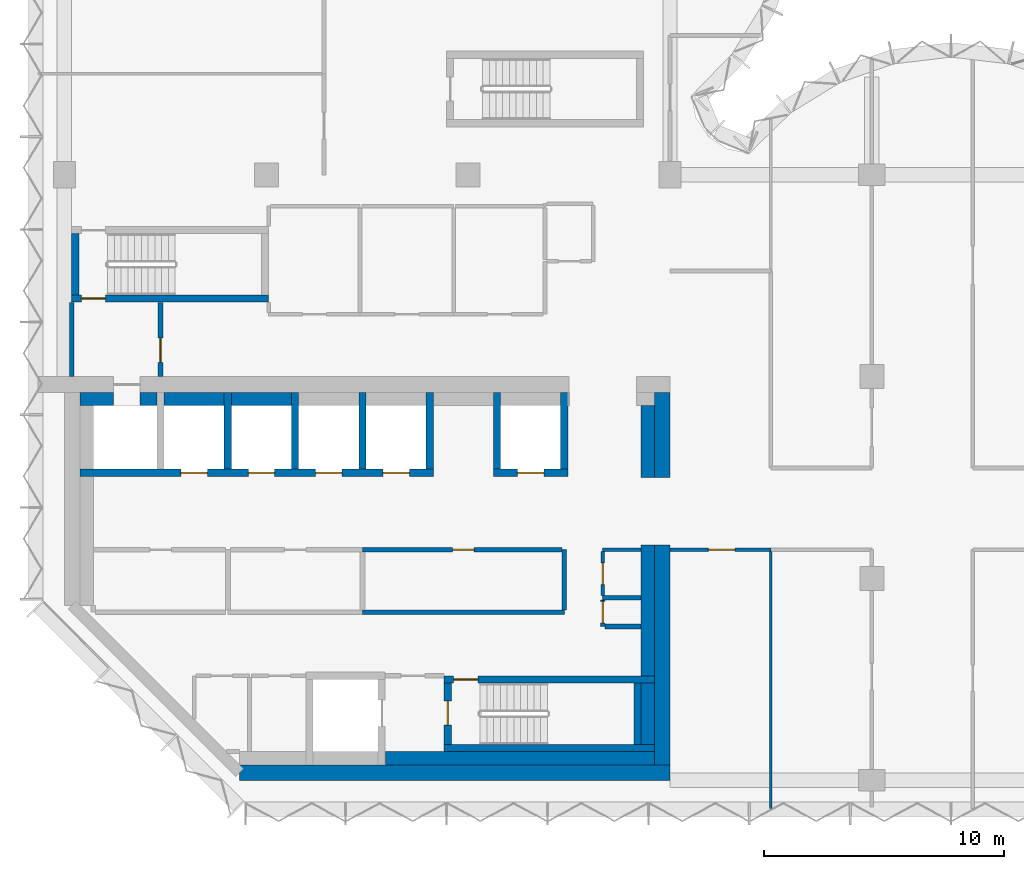
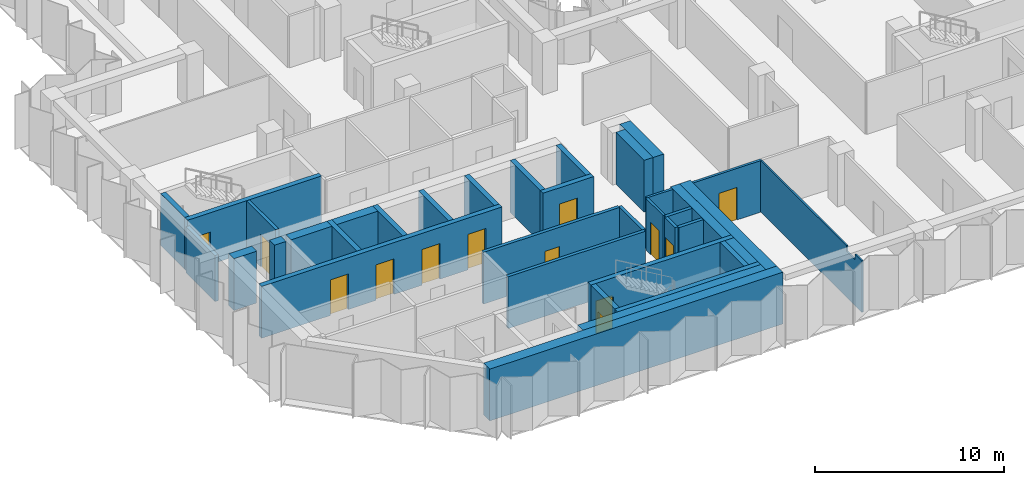
# One storey, part 5 of 10: 37 walls, 13 doors, 13 openings.
"""IFC4 building model written with IfcOpenShell, lengths in metres."""

from ifc_helpers import new_model, si_unit, direction, frame, frame_2d, origin, place, context, subcontext, project, spatial, polyline, rectangle, outline, extrude, material, layer, layer_set, type_object, element, fill, save


model = new_model("IFC4")

# Units and contexts
model_context = context("Model", 3, precision=1e-05, world=origin(), true_north=direction((0.0, 1.0)))
body_context = subcontext(model_context, "Body", "Model", "MODEL_VIEW")
ifc_project = project(units=[si_unit("LENGTHUNIT", "METRE"), si_unit("AREAUNIT", "SQUARE_METRE"), si_unit("VOLUMEUNIT", "CUBIC_METRE"), si_unit("PLANEANGLEUNIT", "RADIAN"), si_unit("MASSUNIT", "GRAM", prefix="KILO")], contexts=[model_context])

# Site, building, storey
site_placement = place(None, origin())
site = spatial("IfcSite", under=ifc_project, at=site_placement, CompositionType="ELEMENT")
building_placement = place(site_placement, origin())
building = spatial("IfcBuilding", under=site, at=building_placement, Name="Brevane Broadcast Tower", CompositionType="ELEMENT")
storey_placement = place(building_placement, frame((0.0, 0.0, 195.60009765625)))
storey = spatial("IfcBuildingStorey", under=building, at=storey_placement, Name="L49", CompositionType="ELEMENT", Elevation=195.60009765625)

# Walls
ifc_material_1 = material(Name="Concrete C32/40", Category="concrete")
ifc_layer_1 = layer(ifc_material_1, 0.550048828125)
ifc_layer_set_1 = layer_set([ifc_layer_1], Name="Core chase wall 550 mm")
wall_type_1 = type_object("IfcWallType", Name="Core chase wall 550 mm", PredefinedType="PARTITIONING", material=ifc_layer_set_1)
wall_1_placement = place(storey_placement, frame((24.27490234375, 12.60009765625, 0.0), z_axis=(0.0, 0.0, 1.0), x_axis=(0.0, 1.0, 0.0)))
element("IfcWall", 1, at=wall_1_placement, inside=storey, type_object=wall_type_1, Name="L49 chase wall LE2", PredefinedType="PARTITIONING", context=body_context, shape_type="SweptSolid", body=[
    extrude(rectangle(XDim=3.0, YDim=0.550048828125, at=frame_2d((1.5, 0.0))), origin(), (0.0, 0.0, 1.0), 3.349853515625),
])
wall_2_placement = place(storey_placement, frame((0.64990234375, 15.875, 0.0), z_axis=(0.0, 0.0, 1.0), x_axis=(1.0, 0.0, 0.0)))
element("IfcWall", 2, at=wall_2_placement, inside=storey, type_object=wall_type_1, Name="L49 chase wall LN0", PredefinedType="PARTITIONING", context=body_context, shape_type="SweptSolid", body=[
    extrude(rectangle(XDim=1.400146484375, YDim=0.550048828125, at=frame_2d((0.7001953125, 0.0))), origin(), (0.0, 0.0, 1.0), 3.349853515625),
])
wall_3_placement = place(storey_placement, frame((3.14990234375, 15.875, 0.0), z_axis=(0.0, 0.0, 1.0), x_axis=(1.0, 0.0, 0.0)))
element("IfcWall", 3, at=wall_3_placement, inside=storey, type_object=wall_type_1, Name="L49 chase wall LN1-1", PredefinedType="PARTITIONING", context=body_context, shape_type="SweptSolid", body=[
    extrude(rectangle(XDim=0.7001953125, YDim=0.550048828125, at=frame_2d((0.35009765625, 0.0))), origin(), (0.0, 0.0, 1.0), 3.349853515625),
])
for number, where, z_axis, x_axis, name in (
    (4, (4.14990234375, 15.875, 0.0), (0.0, 0.0, 1.0), (1.0, 0.0, 0.0), "L49 chase wall LN1-2-1"),
    (5, (6.949951171875, 15.875, 0.0), (0.0, 0.0, 1.0), (1.0, 0.0, 0.0), "L49 chase wall LN1-2-2-1"),
):
    element("IfcWall", number, at=place(storey_placement, frame(where, z_axis=z_axis, x_axis=x_axis)), inside=storey, type_object=wall_type_1, Name=name, PredefinedType="PARTITIONING", context=body_context, shape_type="SweptSolid", body=[
        extrude(rectangle(XDim=2.5, YDim=0.550048828125, at=frame_2d((1.25, 0.0))), origin(), (0.0, 0.0, 1.0), 3.349853515625),
    ])
wall_4_placement = place(storey_placement, frame((13.35009765625, 0.925048828125, 0.0), z_axis=(0.0, 0.0, 1.0), x_axis=(1.0, 0.0, 0.0)))
element("IfcWall", 6, at=wall_4_placement, inside=storey, type_object=wall_type_1, Name="L49 chase wall LS-2-2", PredefinedType="PARTITIONING", context=body_context, shape_type="SweptSolid", body=[
    extrude(rectangle(XDim=11.199951171875, YDim=0.550048828125, at=frame_2d((5.60009765625, 0.0))), origin(), (0.0, 0.0, 1.0), 3.349853515625),
])
wall_5_placement = place(storey_placement, frame((24.27490234375, 1.5, 0.0), z_axis=(0.0, 0.0, 1.0), x_axis=(0.0, 1.0, 0.0)))
element("IfcWall", 7, at=wall_5_placement, inside=storey, type_object=wall_type_1, Name="L49 chase wall LE1-2-1", PredefinedType="PARTITIONING", context=body_context, shape_type="SweptSolid", body=[
    extrude(rectangle(XDim=2.550048828125, YDim=0.550048828125, at=frame_2d((1.27490234375, 0.0))), origin(), (0.0, 0.0, 1.0), 3.349853515625),
])
wall_6_placement = place(storey_placement, frame((24.27490234375, 4.35009765625, 0.0), z_axis=(0.0, 0.0, 1.0), x_axis=(0.0, 1.0, 0.0)))
element("IfcWall", 8, at=wall_6_placement, inside=storey, type_object=wall_type_1, Name="L49 chase wall LE1-2-2", PredefinedType="PARTITIONING", context=body_context, shape_type="SweptSolid", body=[
    extrude(rectangle(XDim=5.449951171875, YDim=0.550048828125, at=frame_2d((2.72509765625, 0.0))), origin(), (0.0, 0.0, 1.0), 3.349853515625),
])
ifc_material_2 = material(Name="Gypsum board on steel studs", Category="steel")
ifc_layer_2 = layer(ifc_material_2, 0.14990234375)
ifc_layer_set_2 = layer_set([ifc_layer_2], Name="Core fire partition 150 mm")
wall_type_2 = type_object("IfcWallType", Name="Core fire partition 150 mm", PredefinedType="PARTITIONING", material=ifc_layer_set_2)
wall_7_placement = place(storey_placement, frame((23.988037109375, 9.60009765625, 0.0), z_axis=(0.0, 0.0, 1.0), x_axis=(-1.0, 0.0, 0.0)))
element("IfcWall", 9, at=wall_7_placement, inside=storey, type_object=wall_type_2, Name="L49 partition wall P38", PredefinedType="PARTITIONING", context=body_context, shape_type="SweptSolid", body=[
    extrude(rectangle(XDim=1.588134765625, YDim=0.14990234375, at=frame_2d((0.7939453125, 0.0))), origin(), (0.0, 0.0, 1.0), 3.349853515625),
])

# Wall, opening, door
wall_8_placement = place(storey_placement, frame((22.39990234375, 9.52490234375, 0.0), z_axis=(0.0, 0.0, 1.0), x_axis=(0.0, -1.0, 0.0)))
wall_8 = element("IfcWall", 10, at=wall_8_placement, inside=storey, type_object=wall_type_2, Name="L49 partition wall P39", PredefinedType="PARTITIONING", context=body_context, shape_type="SweptSolid", body=[
    extrude(rectangle(XDim=1.824951171875, YDim=0.14990234375, at=frame_2d((0.91259765625, 0.0))), origin(), (0.0, 0.0, 1.0), 3.349853515625),
])
opening_1_placement = place(wall_8_placement, frame((0.47509765625, 0.0, 0.0)))
opening_1 = element("IfcOpeningElement", 11, at=opening_1_placement, cuts=wall_8, Name="Opening L49-K18", PredefinedType="OPENING", context=body_context, shape_type="SweptSolid", body=[
    extrude(rectangle(XDim=0.89990234375, YDim=2.10009765625, at=frame_2d((0.449951171875, 1.050048828125))), frame((0.0, 0.0849609375, 0.0), z_axis=(0.0, -1.0, 0.0), x_axis=(1.0, 0.0, 0.0)), (0.0, 0.0, 1.0), 0.169921875),
])
ifc_material_3 = material(Name="Steel", Category="steel")
door_type_1 = type_object("IfcDoorType", Name="Service room door 900 x 2100", OperationType="SINGLE_SWING_LEFT", PredefinedType="DOOR", material=ifc_material_3)
door_1_placement = place(opening_1_placement, origin())
door_1 = element("IfcDoor", 12, at=door_1_placement, inside=storey, type_object=door_type_1, Name="Door L49-K18", OperationType="SINGLE_SWING_RIGHT", OverallHeight=2.10009765625, OverallWidth=0.89990234375, PredefinedType="DOOR", context=body_context, shape_type="SweptSolid", body=[
    extrude(rectangle(XDim=0.89990234375, YDim=2.10009765625, at=frame_2d((0.449951171875, 1.050048828125))), frame((0.0, 0.02490234375, 0.0), z_axis=(0.0, -1.0, 0.0), x_axis=(1.0, 0.0, 0.0)), (0.0, 0.0, 1.0), 0.050048828125),
])
fill(opening_1, door_1)

# Wall
ifc_layer_3 = layer(ifc_material_2, 0.199951171875)
ifc_layer_set_3 = layer_set([ifc_layer_3], Name="Core fire partition 200 mm")
wall_type_3 = type_object("IfcWallType", Name="Core fire partition 200 mm", PredefinedType="PARTITIONING", material=ifc_layer_set_3)
wall_9_placement = place(storey_placement, frame((0.300048828125, 16.81201171875, 0.0), z_axis=(0.0, 0.0, 1.0), x_axis=(0.0, 1.0, 0.0)))
element("IfcWall", 13, at=wall_9_placement, inside=storey, type_object=wall_type_3, Name="L49 partition wall P01", PredefinedType="PARTITIONING", context=body_context, shape_type="SweptSolid", body=[
    extrude(rectangle(XDim=3.075927734375, YDim=0.199951171875, at=frame_2d((1.5380859375, 0.0))), origin(), (0.0, 0.0, 1.0), 2.97998046875),
])

# Wall, opening, door
wall_10_placement = place(storey_placement, frame((4.0, 19.887939453125, 0.0), z_axis=(0.0, 0.0, 1.0), x_axis=(0.0, -1.0, 0.0)))
wall_10 = element("IfcWall", 14, at=wall_10_placement, inside=storey, type_object=wall_type_3, Name="L49 partition wall P02", PredefinedType="PARTITIONING", context=body_context, shape_type="SweptSolid", body=[
    extrude(rectangle(XDim=3.075927734375, YDim=0.199951171875, at=frame_2d((1.5380859375, 0.0))), origin(), (0.0, 0.0, 1.0), 3.349853515625),
])
opening_2_placement = place(wall_10_placement, frame((1.488037109375, 0.0, 0.0)))
opening_2 = element("IfcOpeningElement", 15, at=opening_2_placement, cuts=wall_10, Name="Opening L49-K22", PredefinedType="OPENING", context=body_context, shape_type="SweptSolid", body=[
    extrude(rectangle(XDim=1.0, YDim=2.10009765625, at=frame_2d((0.5, 1.050048828125))), frame((0.0, 0.10986328125, 0.0), z_axis=(0.0, -1.0, 0.0), x_axis=(1.0, 0.0, 0.0)), (0.0, 0.0, 1.0), 0.219970703125),
])
door_type_2 = type_object("IfcDoorType", Name="Stair door 1000 x 2100", OperationType="SINGLE_SWING_LEFT", PredefinedType="DOOR", material=ifc_material_3)
door_2_placement = place(opening_2_placement, origin())
door_2 = element("IfcDoor", 16, at=door_2_placement, inside=storey, type_object=door_type_2, Name="Door L49-K22", OperationType="SINGLE_SWING_RIGHT", OverallHeight=2.10009765625, OverallWidth=1.0, PredefinedType="DOOR", context=body_context, shape_type="SweptSolid", body=[
    extrude(rectangle(XDim=1.0, YDim=2.10009765625, at=frame_2d((0.5, 1.050048828125))), frame((0.0, 0.02490234375, 0.0), z_axis=(0.0, -1.0, 0.0), x_axis=(1.0, 0.0, 0.0)), (0.0, 0.0, 1.0), 0.050048828125),
])
fill(opening_2, door_2)

# Walls
wall_11_placement = place(storey_placement, frame((12.39990234375, 7.0, 0.0), z_axis=(0.0, 0.0, 1.0), x_axis=(1.0, 0.0, 0.0)))
element("IfcWall", 17, at=wall_11_placement, inside=storey, type_object=wall_type_3, Name="L49 partition wall P10", PredefinedType="PARTITIONING", context=body_context, shape_type="SweptSolid", body=[
    extrude(rectangle(XDim=8.400146484375, YDim=0.199951171875, at=frame_2d((4.2001953125, 0.0))), origin(), (0.0, 0.0, 1.0), 3.349853515625),
])
wall_12_placement = place(storey_placement, frame((20.800048828125, 7.10009765625, 0.0), z_axis=(0.0, 0.0, 1.0), x_axis=(0.0, 1.0, 0.0)))
element("IfcWall", 18, at=wall_12_placement, inside=storey, type_object=wall_type_3, Name="L49 partition wall P11", PredefinedType="PARTITIONING", context=body_context, shape_type="SweptSolid", body=[
    extrude(rectangle(XDim=2.5, YDim=0.199951171875, at=frame_2d((1.25, 0.0))), origin(), (0.0, 0.0, 1.0), 3.349853515625),
])

# Wall, opening, door
wall_13_placement = place(storey_placement, frame((20.699951171875, 9.60009765625, 0.0), z_axis=(0.0, 0.0, 1.0), x_axis=(-1.0, 0.0, 0.0)))
wall_13 = element("IfcWall", 19, at=wall_13_placement, inside=storey, type_object=wall_type_3, Name="L49 partition wall P12", PredefinedType="PARTITIONING", context=body_context, shape_type="SweptSolid", body=[
    extrude(rectangle(XDim=8.300048828125, YDim=0.199951171875, at=frame_2d((4.14990234375, 0.0))), origin(), (0.0, 0.0, 1.0), 3.349853515625),
])
opening_3_placement = place(wall_13_placement, frame((3.64990234375, 0.0, 0.0)))
opening_3 = element("IfcOpeningElement", 20, at=opening_3_placement, cuts=wall_13, Name="Opening L49-K21", PredefinedType="OPENING", context=body_context, shape_type="SweptSolid", body=[
    extrude(rectangle(XDim=0.89990234375, YDim=2.10009765625, at=frame_2d((0.449951171875, 1.050048828125))), frame((0.0, 0.10986328125, 0.0), z_axis=(0.0, -1.0, 0.0), x_axis=(1.0, 0.0, 0.0)), (0.0, 0.0, 1.0), 0.219970703125),
])
door_3_placement = place(opening_3_placement, origin())
door_3 = element("IfcDoor", 21, at=door_3_placement, inside=storey, type_object=door_type_1, Name="Door L49-K21", OperationType="SINGLE_SWING_LEFT", OverallHeight=2.10009765625, OverallWidth=0.89990234375, PredefinedType="DOOR", context=body_context, shape_type="SweptSolid", body=[
    extrude(rectangle(XDim=0.89990234375, YDim=2.10009765625, at=frame_2d((0.449951171875, 1.050048828125))), frame((0.0, 0.02490234375, 0.0), z_axis=(0.0, -1.0, 0.0), x_axis=(1.0, 0.0, 0.0)), (0.0, 0.0, 1.0), 0.050048828125),
])
fill(opening_3, door_3)

# Wall
wall_14_placement = place(storey_placement, frame((23.988037109375, 7.60009765625, 0.0), z_axis=(0.0, 0.0, 1.0), x_axis=(-1.0, 0.0, 0.0)))
element("IfcWall", 22, at=wall_14_placement, inside=storey, type_object=wall_type_3, Name="L49 partition wall P14", PredefinedType="PARTITIONING", context=body_context, shape_type="SweptSolid", body=[
    extrude(rectangle(XDim=1.588134765625, YDim=0.199951171875, at=frame_2d((0.7939453125, 0.0))), origin(), (0.0, 0.0, 1.0), 3.349853515625),
])

# Wall, opening, door
wall_15_placement = place(storey_placement, frame((22.39990234375, 7.5, 0.0), z_axis=(0.0, 0.0, 1.0), x_axis=(0.0, -1.0, 0.0)))
wall_15 = element("IfcWall", 23, at=wall_15_placement, inside=storey, type_object=wall_type_3, Name="L49 partition wall P15", PredefinedType="PARTITIONING", context=body_context, shape_type="SweptSolid", body=[
    extrude(rectangle(XDim=1.10009765625, YDim=0.199951171875, at=frame_2d((0.550048828125, 0.0))), origin(), (0.0, 0.0, 1.0), 3.349853515625),
])
opening_4_placement = place(wall_15_placement, frame((0.050048828125, 0.0, 0.0)))
opening_4 = element("IfcOpeningElement", 24, at=opening_4_placement, cuts=wall_15, Name="Opening L49-K17", PredefinedType="OPENING", context=body_context, shape_type="SweptSolid", body=[
    extrude(rectangle(XDim=0.89990234375, YDim=2.10009765625, at=frame_2d((0.449951171875, 1.050048828125))), frame((0.0, 0.10986328125, 0.0), z_axis=(0.0, -1.0, 0.0), x_axis=(1.0, 0.0, 0.0)), (0.0, 0.0, 1.0), 0.219970703125),
])
door_4_placement = place(opening_4_placement, origin())
door_4 = element("IfcDoor", 25, at=door_4_placement, inside=storey, type_object=door_type_1, Name="Door L49-K17", OperationType="SINGLE_SWING_LEFT", OverallHeight=2.10009765625, OverallWidth=0.89990234375, PredefinedType="DOOR", context=body_context, shape_type="SweptSolid", body=[
    extrude(rectangle(XDim=0.89990234375, YDim=2.10009765625, at=frame_2d((0.449951171875, 1.050048828125))), frame((0.0, 0.02490234375, 0.0), z_axis=(0.0, -1.0, 0.0), x_axis=(1.0, 0.0, 0.0)), (0.0, 0.0, 1.0), 0.050048828125),
])
fill(opening_4, door_4)

# Wall
wall_16_placement = place(storey_placement, frame((22.5, 6.39990234375, 0.0), z_axis=(0.0, 0.0, 1.0), x_axis=(1.0, 0.0, 0.0)))
element("IfcWall", 26, at=wall_16_placement, inside=storey, type_object=wall_type_3, Name="L49 partition wall P16", PredefinedType="PARTITIONING", context=body_context, shape_type="SweptSolid", body=[
    extrude(rectangle(XDim=1.488037109375, YDim=0.199951171875, at=frame_2d((0.744140625, 0.0))), origin(), (0.0, 0.0, 1.0), 3.349853515625),
])

# Wall, openings, doors
ifc_material_4 = material(Name="Concrete C60/75", Category="concrete")
ifc_layer_4 = layer(ifc_material_4, 0.300048828125)
ifc_layer_set_4 = layer_set([ifc_layer_4], Name="Core wall 300 mm C60/75")
wall_type_4 = type_object("IfcWallType", Name="Core wall 300 mm C60/75", PredefinedType="SHEAR", material=ifc_layer_set_4)
wall_17_placement = place(storey_placement, frame((0.64990234375, 12.800048828125, 0.0), z_axis=(0.0, 0.0, 1.0), x_axis=(1.0, 0.0, 0.0)))
wall_17 = element("IfcWall", 27, at=wall_17_placement, inside=storey, type_object=wall_type_4, Name="L49 shaft wall SH-N012-front", PredefinedType="SHEAR", context=body_context, shape_type="SweptSolid", body=[
    extrude(rectangle(XDim=14.7001953125, YDim=0.300048828125, at=frame_2d((7.35009765625, 0.0))), origin(), (0.0, 0.0, 1.0), 3.349853515625),
])
opening_5_placement = place(wall_17_placement, frame((4.199951171875, 0.0, 0.0)))
opening_5 = element("IfcOpeningElement", 28, at=opening_5_placement, cuts=wall_17, Name="Opening LD", PredefinedType="OPENING", context=body_context, shape_type="SweptSolid", body=[
    extrude(rectangle(XDim=1.10009765625, YDim=2.300048828125, at=frame_2d((0.550048828125, 1.14990234375))), frame((0.0, 0.159912109375, 0.0), z_axis=(0.0, -1.0, 0.0), x_axis=(1.0, 0.0, 0.0)), (0.0, 0.0, 1.0), 0.320068359375),
])
opening_6_placement = place(wall_17_placement, frame((7.0, 0.0, 0.0)))
opening_6 = element("IfcOpeningElement", 29, at=opening_6_placement, cuts=wall_17, Name="Opening LD", PredefinedType="OPENING", context=body_context, shape_type="SweptSolid", body=[
    extrude(rectangle(XDim=1.10009765625, YDim=2.300048828125, at=frame_2d((0.550048828125, 1.14990234375))), frame((0.0, 0.159912109375, 0.0), z_axis=(0.0, -1.0, 0.0), x_axis=(1.0, 0.0, 0.0)), (0.0, 0.0, 1.0), 0.320068359375),
])
opening_7_placement = place(wall_17_placement, frame((9.800048828125, 0.0, 0.0)))
opening_7 = element("IfcOpeningElement", 30, at=opening_7_placement, cuts=wall_17, Name="Opening LD", PredefinedType="OPENING", context=body_context, shape_type="SweptSolid", body=[
    extrude(rectangle(XDim=1.10009765625, YDim=2.300048828125, at=frame_2d((0.550048828125, 1.14990234375))), frame((0.0, 0.159912109375, 0.0), z_axis=(0.0, -1.0, 0.0), x_axis=(1.0, 0.0, 0.0)), (0.0, 0.0, 1.0), 0.320068359375),
])
opening_8_placement = place(wall_17_placement, frame((12.60009765625, 0.0, 0.0)))
opening_8 = element("IfcOpeningElement", 31, at=opening_8_placement, cuts=wall_17, Name="Opening LD", PredefinedType="OPENING", context=body_context, shape_type="SweptSolid", body=[
    extrude(rectangle(XDim=1.10009765625, YDim=2.300048828125, at=frame_2d((0.550048828125, 1.14990234375))), frame((0.0, 0.159912109375, 0.0), z_axis=(0.0, -1.0, 0.0), x_axis=(1.0, 0.0, 0.0)), (0.0, 0.0, 1.0), 0.320068359375),
])
ifc_material_5 = material(Name="Stainless steel", Category="steel")
door_type_3 = type_object("IfcDoorType", Name="Lift landing door", OperationType="SLIDING_TO_LEFT", PredefinedType="DOOR", material=ifc_material_5)
door_5_placement = place(opening_5_placement, origin())
door_5 = element("IfcDoor", 32, at=door_5_placement, inside=storey, type_object=door_type_3, Name="Landing door HR1 L49", OperationType="SLIDING_TO_LEFT", OverallHeight=2.300048828125, OverallWidth=1.10009765625, PredefinedType="DOOR", context=body_context, shape_type="SweptSolid", body=[
    extrude(rectangle(XDim=1.10009765625, YDim=2.300048828125, at=frame_2d((0.550048828125, 1.14990234375))), frame((0.0, 0.02490234375, 0.0), z_axis=(0.0, -1.0, 0.0), x_axis=(1.0, 0.0, 0.0)), (0.0, 0.0, 1.0), 0.050048828125),
])
fill(opening_5, door_5)
door_6_placement = place(opening_6_placement, origin())
door_6 = element("IfcDoor", 33, at=door_6_placement, inside=storey, type_object=door_type_3, Name="Landing door HR2 L49", OperationType="SLIDING_TO_LEFT", OverallHeight=2.300048828125, OverallWidth=1.10009765625, PredefinedType="DOOR", context=body_context, shape_type="SweptSolid", body=[
    extrude(rectangle(XDim=1.10009765625, YDim=2.300048828125, at=frame_2d((0.550048828125, 1.14990234375))), frame((0.0, 0.02490234375, 0.0), z_axis=(0.0, -1.0, 0.0), x_axis=(1.0, 0.0, 0.0)), (0.0, 0.0, 1.0), 0.050048828125),
])
fill(opening_6, door_6)
door_7_placement = place(opening_7_placement, origin())
door_7 = element("IfcDoor", 34, at=door_7_placement, inside=storey, type_object=door_type_3, Name="Landing door HR3 L49", OperationType="SLIDING_TO_LEFT", OverallHeight=2.300048828125, OverallWidth=1.10009765625, PredefinedType="DOOR", context=body_context, shape_type="SweptSolid", body=[
    extrude(rectangle(XDim=1.10009765625, YDim=2.300048828125, at=frame_2d((0.550048828125, 1.14990234375))), frame((0.0, 0.02490234375, 0.0), z_axis=(0.0, -1.0, 0.0), x_axis=(1.0, 0.0, 0.0)), (0.0, 0.0, 1.0), 0.050048828125),
])
fill(opening_7, door_7)
door_8_placement = place(opening_8_placement, origin())
door_8 = element("IfcDoor", 35, at=door_8_placement, inside=storey, type_object=door_type_3, Name="Landing door HR4 L49", OperationType="SLIDING_TO_LEFT", OverallHeight=2.300048828125, OverallWidth=1.10009765625, PredefinedType="DOOR", context=body_context, shape_type="SweptSolid", body=[
    extrude(rectangle(XDim=1.10009765625, YDim=2.300048828125, at=frame_2d((0.550048828125, 1.14990234375))), frame((0.0, 0.02490234375, 0.0), z_axis=(0.0, -1.0, 0.0), x_axis=(1.0, 0.0, 0.0)), (0.0, 0.0, 1.0), 0.050048828125),
])
fill(opening_8, door_8)

# Walls
for number, where, z_axis, x_axis, name in (
    (36, (6.800048828125, 12.949951171875, 0.0), (0.0, 0.0, 1.0), (0.0, 1.0, 0.0), "L49 shaft wall SH-N-P068"),
    (37, (9.60009765625, 12.949951171875, 0.0), (0.0, 0.0, 1.0), (0.0, 1.0, 0.0), "L49 shaft wall SH-N-P096"),
    (38, (12.39990234375, 12.949951171875, 0.0), (0.0, 0.0, 1.0), (0.0, 1.0, 0.0), "L49 shaft wall SH-N-P124"),
    (39, (15.199951171875, 12.949951171875, 0.0), (0.0, 0.0, 1.0), (0.0, 1.0, 0.0), "L49 shaft wall SH-N-P152"),
):
    element("IfcWall", number, at=place(storey_placement, frame(where, z_axis=z_axis, x_axis=x_axis)), inside=storey, type_object=wall_type_4, Name=name, PredefinedType="SHEAR", context=body_context, shape_type="SweptSolid", body=[
        extrude(rectangle(XDim=3.199951171875, YDim=0.300048828125, at=frame_2d((1.60009765625, 0.0))), origin(), (0.0, 0.0, 1.0), 3.349853515625),
    ])

# Wall, opening, door
wall_18_placement = place(storey_placement, frame((17.85009765625, 12.800048828125, 0.0), z_axis=(0.0, 0.0, 1.0), x_axis=(1.0, 0.0, 0.0)))
wall_18 = element("IfcWall", 40, at=wall_18_placement, inside=storey, type_object=wall_type_4, Name="L49 shaft wall SH-N180-front", PredefinedType="SHEAR", context=body_context, shape_type="SweptSolid", body=[
    extrude(rectangle(XDim=3.099853515625, YDim=0.300048828125, at=frame_2d((1.5498046875, 0.0))), origin(), (0.0, 0.0, 1.0), 3.349853515625),
])
opening_9_placement = place(wall_18_placement, frame((1.0, 0.0, 0.0)))
opening_9 = element("IfcOpeningElement", 41, at=opening_9_placement, cuts=wall_18, Name="Opening LD", PredefinedType="OPENING", context=body_context, shape_type="SweptSolid", body=[
    extrude(rectangle(XDim=1.10009765625, YDim=2.300048828125, at=frame_2d((0.550048828125, 1.14990234375))), frame((0.0, 0.159912109375, 0.0), z_axis=(0.0, -1.0, 0.0), x_axis=(1.0, 0.0, 0.0)), (0.0, 0.0, 1.0), 0.320068359375),
])
door_9_placement = place(opening_9_placement, origin())
door_9 = element("IfcDoor", 42, at=door_9_placement, inside=storey, type_object=door_type_3, Name="Landing door SL1 L49", OperationType="SLIDING_TO_LEFT", OverallHeight=2.300048828125, OverallWidth=1.10009765625, PredefinedType="DOOR", context=body_context, shape_type="SweptSolid", body=[
    extrude(rectangle(XDim=1.10009765625, YDim=2.300048828125, at=frame_2d((0.550048828125, 1.14990234375))), frame((0.0, 0.02490234375, 0.0), z_axis=(0.0, -1.0, 0.0), x_axis=(1.0, 0.0, 0.0)), (0.0, 0.0, 1.0), 0.050048828125),
])
fill(opening_9, door_9)

# Walls
for number, where, z_axis, x_axis, name in (
    (43, (18.0, 12.949951171875, 0.0), (0.0, 0.0, 1.0), (0.0, 1.0, 0.0), "L49 shaft wall SH-N-P180"),
    (44, (20.800048828125, 12.949951171875, 0.0), (0.0, 0.0, 1.0), (0.0, 1.0, 0.0), "L49 shaft wall SH-N-P208"),
):
    element("IfcWall", number, at=place(storey_placement, frame(where, z_axis=z_axis, x_axis=x_axis)), inside=storey, type_object=wall_type_4, Name=name, PredefinedType="SHEAR", context=body_context, shape_type="SweptSolid", body=[
        extrude(rectangle(XDim=3.199951171875, YDim=0.300048828125, at=frame_2d((1.60009765625, 0.0))), origin(), (0.0, 0.0, 1.0), 3.349853515625),
    ])

# Wall, opening, door
wall_19_placement = place(storey_placement, frame((8.5, 20.050048828125, 0.0), z_axis=(0.0, 0.0, 1.0), x_axis=(-1.0, 0.0, 0.0)))
wall_19 = element("IfcWall", 45, at=wall_19_placement, inside=storey, type_object=wall_type_4, Name="L49 stair wall ST-1-S", PredefinedType="SHEAR", context=body_context, shape_type="SweptSolid", body=[
    extrude(rectangle(XDim=8.199951171875, YDim=0.300048828125, at=frame_2d((4.10009765625, 0.0))), origin(), (0.0, 0.0, 1.0), 3.349853515625),
])
opening_10_placement = place(wall_19_placement, frame((6.800048828125, 0.0, 0.0)))
opening_10 = element("IfcOpeningElement", 46, at=opening_10_placement, cuts=wall_19, Name="Opening L49-K08", PredefinedType="OPENING", context=body_context, shape_type="SweptSolid", body=[
    extrude(rectangle(XDim=1.0, YDim=2.10009765625, at=frame_2d((0.5, 1.050048828125))), frame((0.0, 0.159912109375, 0.0), z_axis=(0.0, -1.0, 0.0), x_axis=(1.0, 0.0, 0.0)), (0.0, 0.0, 1.0), 0.320068359375),
])
door_10_placement = place(opening_10_placement, origin())
door_10 = element("IfcDoor", 47, at=door_10_placement, inside=storey, type_object=door_type_2, Name="Door L49-K08", OperationType="SINGLE_SWING_RIGHT", OverallHeight=2.10009765625, OverallWidth=1.0, PredefinedType="DOOR", context=body_context, shape_type="SweptSolid", body=[
    extrude(rectangle(XDim=1.0, YDim=2.10009765625, at=frame_2d((0.5, 1.050048828125))), frame((0.0, 0.02490234375, 0.0), z_axis=(0.0, -1.0, 0.0), x_axis=(1.0, 0.0, 0.0)), (0.0, 0.0, 1.0), 0.050048828125),
])
fill(opening_10, door_10)

# Walls
wall_20_placement = place(storey_placement, frame((0.449951171875, 20.199951171875, 0.0), z_axis=(0.0, 0.0, 1.0), x_axis=(0.0, 1.0, 0.0)))
element("IfcWall", 48, at=wall_20_placement, inside=storey, type_object=wall_type_4, Name="L49 stair wall ST-1-W", PredefinedType="SHEAR", context=body_context, shape_type="SweptSolid", body=[
    extrude(rectangle(XDim=2.550048828125, YDim=0.300048828125, at=frame_2d((1.27490234375, 0.0))), origin(), (0.0, 0.0, 1.0), 3.349853515625),
])
wall_21_placement = place(storey_placement, frame((15.800048828125, 1.35009765625, 0.0), z_axis=(0.0, 0.0, 1.0), x_axis=(1.0, 0.0, 0.0)))
element("IfcWall", 49, at=wall_21_placement, inside=storey, type_object=wall_type_4, Name="L49 stair wall ST-2-S", PredefinedType="SHEAR", context=body_context, shape_type="SweptSolid", body=[
    extrude(rectangle(XDim=8.75, YDim=0.300048828125, at=frame_2d((4.375, 0.0))), origin(), (0.0, 0.0, 1.0), 3.349853515625),
])

# Wall, opening, door
wall_22_placement = place(storey_placement, frame((15.800048828125, 4.199951171875, 0.0), z_axis=(0.0, 0.0, 1.0), x_axis=(1.0, 0.0, 0.0)))
wall_22 = element("IfcWall", 50, at=wall_22_placement, inside=storey, type_object=wall_type_4, Name="L49 stair wall ST-2-N", PredefinedType="SHEAR", context=body_context, shape_type="SweptSolid", body=[
    extrude(rectangle(XDim=8.75, YDim=0.300048828125, at=frame_2d((4.375, 0.0))), origin(), (0.0, 0.0, 1.0), 3.349853515625),
])
opening_11_placement = place(wall_22_placement, frame((0.39990234375, 0.0, 0.0)))
opening_11 = element("IfcOpeningElement", 51, at=opening_11_placement, cuts=wall_22, Name="Opening L49-K11", PredefinedType="OPENING", context=body_context, shape_type="SweptSolid", body=[
    extrude(rectangle(XDim=1.0, YDim=2.10009765625, at=frame_2d((0.5, 1.050048828125))), frame((0.0, 0.159912109375, 0.0), z_axis=(0.0, -1.0, 0.0), x_axis=(1.0, 0.0, 0.0)), (0.0, 0.0, 1.0), 0.320068359375),
])
door_11_placement = place(opening_11_placement, origin())
door_11 = element("IfcDoor", 52, at=door_11_placement, inside=storey, type_object=door_type_2, Name="Door L49-K11", OperationType="SINGLE_SWING_LEFT", OverallHeight=2.10009765625, OverallWidth=1.0, PredefinedType="DOOR", context=body_context, shape_type="SweptSolid", body=[
    extrude(rectangle(XDim=1.0, YDim=2.10009765625, at=frame_2d((0.5, 1.050048828125))), frame((0.0, 0.02490234375, 0.0), z_axis=(0.0, -1.0, 0.0), x_axis=(1.0, 0.0, 0.0)), (0.0, 0.0, 1.0), 0.050048828125),
])
fill(opening_11, door_11)

wall_23_placement = place(storey_placement, frame((15.949951171875, 1.5, 0.0), z_axis=(0.0, 0.0, 1.0), x_axis=(0.0, 1.0, 0.0)))
wall_23 = element("IfcWall", 53, at=wall_23_placement, inside=storey, type_object=wall_type_4, Name="L49 stair wall ST-2-W", PredefinedType="SHEAR", context=body_context, shape_type="SweptSolid", body=[
    extrude(rectangle(XDim=2.550048828125, YDim=0.300048828125, at=frame_2d((1.27490234375, 0.0))), origin(), (0.0, 0.0, 1.0), 3.349853515625),
])
opening_12_placement = place(wall_23_placement, frame((0.800048828125, 0.0, 0.0)))
opening_12 = element("IfcOpeningElement", 54, at=opening_12_placement, cuts=wall_23, Name="Opening L49-K10", PredefinedType="OPENING", context=body_context, shape_type="SweptSolid", body=[
    extrude(rectangle(XDim=1.0, YDim=2.10009765625, at=frame_2d((0.5, 1.050048828125))), frame((0.0, 0.159912109375, 0.0), z_axis=(0.0, -1.0, 0.0), x_axis=(1.0, 0.0, 0.0)), (0.0, 0.0, 1.0), 0.320068359375),
])
door_12_placement = place(opening_12_placement, origin())
door_12 = element("IfcDoor", 55, at=door_12_placement, inside=storey, type_object=door_type_2, Name="Door L49-K10", OperationType="SINGLE_SWING_RIGHT", OverallHeight=2.10009765625, OverallWidth=1.0, PredefinedType="DOOR", context=body_context, shape_type="SweptSolid", body=[
    extrude(rectangle(XDim=1.0, YDim=2.10009765625, at=frame_2d((0.5, 1.050048828125))), frame((0.0, 0.02490234375, 0.0), z_axis=(0.0, -1.0, 0.0), x_axis=(1.0, 0.0, 0.0)), (0.0, 0.0, 1.0), 0.050048828125),
])
fill(opening_12, door_12)

# Walls
wall_24_placement = place(storey_placement, frame((23.85009765625, 1.5, 0.0), z_axis=(0.0, 0.0, 1.0), x_axis=(0.0, 1.0, 0.0)))
element("IfcWall", 56, at=wall_24_placement, inside=storey, type_object=wall_type_4, Name="L49 stair wall ST-2-E", PredefinedType="SHEAR", context=body_context, shape_type="SweptSolid", body=[
    extrude(rectangle(XDim=2.550048828125, YDim=0.300048828125, at=frame_2d((1.27490234375, 0.0))), origin(), (0.0, 0.0, 1.0), 3.349853515625),
])
ifc_layer_5 = layer(ifc_material_4, 0.64990234375)
ifc_layer_set_5 = layer_set([ifc_layer_5], Name="Core wall 650 mm C60/75")
wall_type_5 = type_object("IfcWallType", Name="Core wall 650 mm C60/75", PredefinedType="SHEAR", material=ifc_layer_set_5)
wall_25_placement = place(storey_placement, frame((7.286376953125, 0.324951171875, 0.0), z_axis=(0.0, 0.0, 1.0), x_axis=(1.0, 0.0, 0.0)))
element("IfcWall", 57, at=wall_25_placement, inside=storey, type_object=wall_type_5, Name="L49 outer wall WS", PredefinedType="SHEAR", context=body_context, shape_type="SweptSolid", body=[
    extrude(rectangle(XDim=17.91357421875, YDim=0.64990234375, at=frame_2d((8.956787109375, 0.0))), origin(), (0.0, 0.0, 1.0), 3.349853515625),
])
wall_26_placement = place(storey_placement, frame((24.875, 0.64990234375, 0.0), z_axis=(0.0, 0.0, 1.0), x_axis=(0.0, 1.0, 0.0)))
element("IfcWall", 58, at=wall_26_placement, inside=storey, type_object=wall_type_5, Name="L49 outer wall WE1", PredefinedType="SHEAR", context=body_context, shape_type="SweptSolid", body=[
    extrude(rectangle(XDim=9.150146484375, YDim=0.64990234375, at=frame_2d((4.5751953125, 0.0))), origin(), (0.0, 0.0, 1.0), 3.349853515625),
])
wall_27_placement = place(storey_placement, frame((24.875, 12.60009765625, 0.0), z_axis=(0.0, 0.0, 1.0), x_axis=(0.0, 1.0, 0.0)))
element("IfcWall", 59, at=wall_27_placement, inside=storey, type_object=wall_type_5, Name="L49 outer wall WE2", PredefinedType="SHEAR", context=body_context, shape_type="SweptSolid", body=[
    extrude(rectangle(XDim=3.5498046875, YDim=0.64990234375, at=frame_2d((1.77490234375, 0.0))), origin(), (0.0, 0.0, 1.0), 3.349853515625),
])
ifc_material_6 = material(Name="Gypsum board partition")
ifc_layer_6 = layer(ifc_material_6, 0.10009765625)
ifc_layer_set_6 = layer_set([ifc_layer_6], Name="PARTITION 100 STUD")
wall_type_6 = type_object("IfcWallType", Name="PARTITION 100 STUD", PredefinedType="PARTITIONING", material=ifc_layer_set_6)
wall_28_placement = place(storey_placement, frame((29.39990234375, 9.60009765625, 0.0), z_axis=(0.0, 0.0, 1.0), x_axis=(0.0, -1.0, 0.0)))
element("IfcWall", 60, at=wall_28_placement, inside=storey, type_object=wall_type_6, Name="Partition G15-019", PredefinedType="PARTITIONING", context=body_context, shape_type="SweptSolid", body=[
    extrude(outline(polyline([(0.0, 0.0), (10.774169921875, 0.0), (10.77392578125, 3.329833984375), (10.699951171875, 3.329833984375), (10.050048828125, 3.329833984375), (10.048095703125, 2.97998046875), (9.152099609375, 2.97998046875), (9.14990234375, 3.329833984375), (0.0, 3.329833984375), (0.0, 0.0)])), frame((0.0, 0.050048828125, 0.0), z_axis=(0.0, -1.0, 0.0), x_axis=(1.0, 0.0, 0.0)), (0.0, 0.0, 1.0), 0.10009765625),
])

# Wall, opening, door
ifc_layer_7 = layer(ifc_material_6, 0.14990234375)
ifc_layer_set_7 = layer_set([ifc_layer_7], Name="PARTITION 150 EI 60")
wall_type_7 = type_object("IfcWallType", Name="PARTITION 150 EI 60", PredefinedType="PARTITIONING", material=ifc_layer_set_7)
wall_29_placement = place(storey_placement, frame((29.39990234375, 9.60009765625, 0.0), z_axis=(0.0, 0.0, 1.0), x_axis=(-1.0, 0.0, 0.0)))
wall_29 = element("IfcWall", 61, at=wall_29_placement, inside=storey, type_object=wall_type_7, Name="Partition G15-002", PredefinedType="PARTITIONING", context=body_context, shape_type="SweptSolid", body=[
    extrude(rectangle(XDim=4.199951171875, YDim=0.14990234375, at=frame_2d((2.10009765625, 0.0))), origin(), (0.0, 0.0, 1.0), 3.329833984375),
])
opening_13_placement = place(wall_29_placement, frame((1.5, 0.0, 0.0)))
opening_13 = element("IfcOpeningElement", 62, at=opening_13_placement, cuts=wall_29, Name="Opening D24-003", PredefinedType="OPENING", context=body_context, shape_type="SweptSolid", body=[
    extrude(rectangle(XDim=1.10009765625, YDim=2.10009765625, at=frame_2d((0.550048828125, 1.050048828125))), frame((0.0, 0.0849609375, 0.0), z_axis=(0.0, -1.0, 0.0), x_axis=(1.0, 0.0, 0.0)), (0.0, 0.0, 1.0), 0.169921875),
])
ifc_material_7 = material(Name="Fire-rated timber door leaf", Category="wood")
door_type_4 = type_object("IfcDoorType", Name="DOOR SINGLE 1100 FD30S", OperationType="SINGLE_SWING_LEFT", PredefinedType="DOOR", material=ifc_material_7)
door_13_placement = place(opening_13_placement, origin())
door_13 = element("IfcDoor", 63, at=door_13_placement, inside=storey, type_object=door_type_4, Name="Door D24-003", OperationType="SINGLE_SWING_LEFT", OverallHeight=2.10009765625, OverallWidth=1.10009765625, PredefinedType="DOOR", context=body_context, shape_type="SweptSolid", body=[
    extrude(rectangle(XDim=1.10009765625, YDim=2.10009765625, at=frame_2d((0.550048828125, 1.050048828125))), frame((0.0, 0.02490234375, 0.0), z_axis=(0.0, -1.0, 0.0), x_axis=(1.0, 0.0, 0.0)), (0.0, 0.0, 1.0), 0.050048828125),
])
fill(opening_13, door_13)

save(model, "model.ifc")
